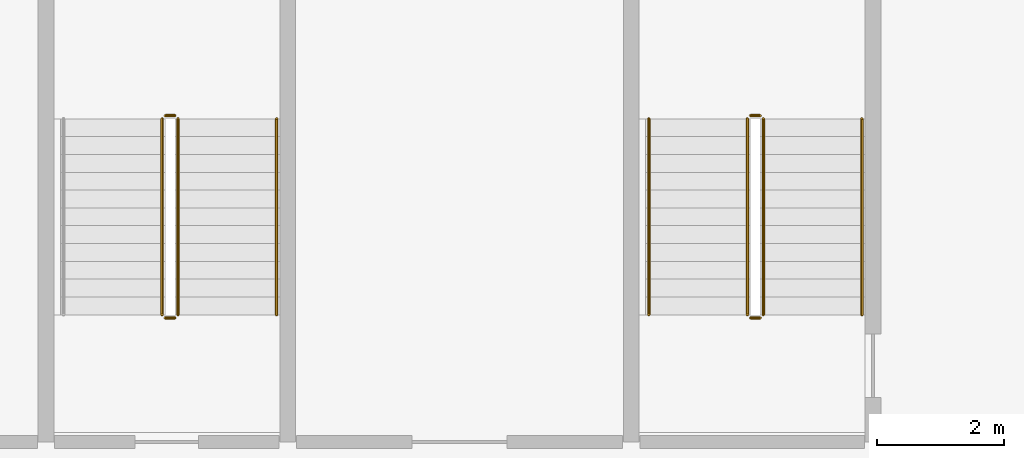
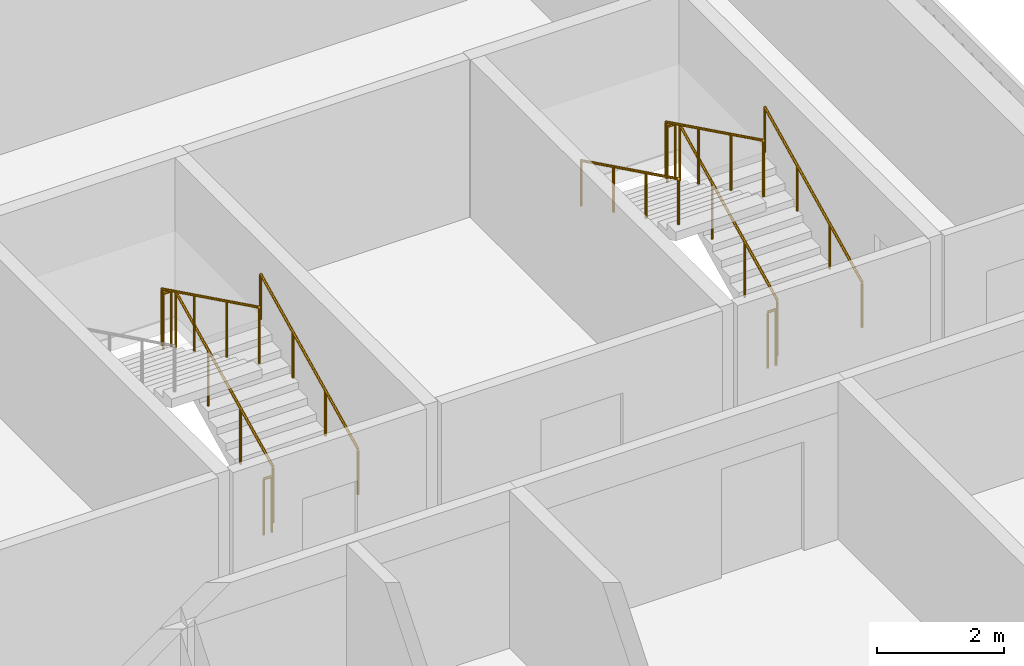
# One storey, part 11 of 18: 11 railings.
"""IFC4 building model written with IfcOpenShell, lengths in metres."""

from ifc_helpers import new_model, si_unit, direction, frame, origin, origin_2d, place, context, subcontext, project, spatial, circle, extrude, material, type_object, element, save


model = new_model("IFC4")

# Units and contexts
model_context = context("Model", 3, precision=1e-05, world=origin(), true_north=direction((0.0, 1.0)))
body_context = subcontext(model_context, "Body", "Model", "MODEL_VIEW")
ifc_project = project(units=[si_unit("LENGTHUNIT", "METRE"), si_unit("AREAUNIT", "SQUARE_METRE"), si_unit("VOLUMEUNIT", "CUBIC_METRE"), si_unit("PLANEANGLEUNIT", "RADIAN"), si_unit("MASSUNIT", "GRAM", prefix="KILO")], contexts=[model_context])

# Site, building, storey
site_placement = place(None, origin())
site = spatial("IfcSite", under=ifc_project, at=site_placement, CompositionType="ELEMENT")
building_placement = place(site_placement, origin())
building = spatial("IfcBuilding", under=site, at=building_placement, Name="Poui Terraces", CompositionType="ELEMENT")
storey_placement = place(building_placement, frame((0.0, 0.0, 275.699951171875)))
storey = spatial("IfcBuildingStorey", under=building, at=storey_placement, Name="L76 CROWN", CompositionType="ELEMENT", Elevation=275.699951171875)

# Railings
ifc_material_1 = material(Name="Galvanised steel balustrade", Category="steel")
railing_type_1 = type_object("IfcRailingType", Name="STAIR GUARD 1100", PredefinedType="GUARDRAIL", material=ifc_material_1)
railing_1_placement = place(storey_placement, frame((70.27490234375, 16.60009765625, 0.137451171875)))
element("IfcRailing", 1, at=railing_1_placement, inside=storey, type_object=railing_type_1, Name="L76 CROWN ST-CE stair guard 1", PredefinedType="GUARDRAIL", context=body_context, shape_type="SweptSolid", body=[
    extrude(circle(Radius=0.02392578125, at=origin_2d()), frame((0.0, 0.0, 1.076171875), z_axis=(0.0, 0.897578036475, 0.440855609512), x_axis=(-1.0, 0.0, 0.0)), (0.0, 0.0, 1.0), 3.43115234375),
    extrude(circle(Radius=0.02099609375, at=origin_2d()), origin(), (0.0, 0.0, 1.0), 1.052001953125),
    extrude(circle(Radius=0.02099609375, at=origin_2d()), frame((0.0, 1.026611328125, 0.504150390625)), (0.0, 0.0, 1.0), 1.052001953125),
    extrude(circle(Radius=0.02099609375, at=origin_2d()), frame((0.0, 2.05322265625, 1.008544921875)), (0.0, 0.0, 1.0), 1.052001953125),
    extrude(circle(Radius=0.02099609375, at=origin_2d()), frame((0.0, 3.079833984375, 1.5126953125)), (0.0, 0.0, 1.0), 1.052001953125),
])
railing_2_placement = place(storey_placement, frame((70.22509765625, 19.72998046875, 1.650146484375)))
element("IfcRailing", 2, at=railing_2_placement, inside=storey, type_object=railing_type_1, Name="L76 CROWN ST-CE stair guard 2", PredefinedType="GUARDRAIL", context=body_context, shape_type="SweptSolid", body=[
    extrude(circle(Radius=0.02392578125, at=origin_2d()), frame((0.0, 0.0, 1.076171875), z_axis=(-1.0, 0.0, 0.0), x_axis=(0.0, -1.0, 0.0)), (0.0, 0.0, 1.0), 0.150146484375),
    extrude(circle(Radius=0.02099609375, at=origin_2d()), origin(), (0.0, 0.0, 1.0), 1.052001953125),
    extrude(circle(Radius=0.02099609375, at=origin_2d()), frame((-0.150146484375, 0.0, 0.0)), (0.0, 0.0, 1.0), 1.052001953125),
])
railing_3_placement = place(storey_placement, frame((70.02490234375, 19.679931640625, 1.78759765625)))
element("IfcRailing", 3, at=railing_3_placement, inside=storey, type_object=railing_type_1, Name="L76 CROWN ST-CE stair guard 3", PredefinedType="GUARDRAIL", context=body_context, shape_type="SweptSolid", body=[
    extrude(circle(Radius=0.02392578125, at=origin_2d()), frame((0.0, 0.0, 1.076171875), z_axis=(0.0, -0.897606190399, 0.440798283751), x_axis=(1.0, 0.0, 0.0)), (0.0, 0.0, 1.0), 3.43115234375),
    extrude(circle(Radius=0.02099609375, at=origin_2d()), origin(), (0.0, 0.0, 1.0), 1.052001953125),
    extrude(circle(Radius=0.02099609375, at=origin_2d()), frame((0.0, -1.026611328125, 0.504150390625)), (0.0, 0.0, 1.0), 1.052001953125),
    extrude(circle(Radius=0.02099609375, at=origin_2d()), frame((0.0, -2.05322265625, 1.00830078125)), (0.0, 0.0, 1.0), 1.052001953125),
    extrude(circle(Radius=0.02099609375, at=origin_2d()), frame((0.0, -3.079833984375, 1.512451171875)), (0.0, 0.0, 1.0), 1.052001953125),
])
railing_4_placement = place(storey_placement, frame((70.22509765625, 16.550048828125, 0.0)))
element("IfcRailing", 4, at=railing_4_placement, inside=storey, type_object=railing_type_1, Name="L76 CROWN ST-CE stair guard 4", PredefinedType="GUARDRAIL", context=body_context, shape_type="SweptSolid", body=[
    extrude(circle(Radius=0.02392578125, at=origin_2d()), frame((0.0, 0.0, 1.076171875), z_axis=(-1.0, 0.0, 0.0), x_axis=(0.0, -1.0, 0.0)), (0.0, 0.0, 1.0), 0.150146484375),
    extrude(circle(Radius=0.02099609375, at=origin_2d()), origin(), (0.0, 0.0, 1.0), 1.052001953125),
    extrude(circle(Radius=0.02099609375, at=origin_2d()), frame((-0.150146484375, 0.0, 0.0)), (0.0, 0.0, 1.0), 1.052001953125),
])
railing_5_placement = place(storey_placement, frame((79.47509765625, 16.60009765625, 0.137451171875)))
element("IfcRailing", 5, at=railing_5_placement, inside=storey, type_object=railing_type_1, Name="L76 CROWN ST-E stair guard 1", PredefinedType="GUARDRAIL", context=body_context, shape_type="SweptSolid", body=[
    extrude(circle(Radius=0.02392578125, at=origin_2d()), frame((0.0, 0.0, 1.076171875), z_axis=(0.0, 0.897578036475, 0.440855609512), x_axis=(-1.0, 0.0, 0.0)), (0.0, 0.0, 1.0), 3.43115234375),
    extrude(circle(Radius=0.02099609375, at=origin_2d()), origin(), (0.0, 0.0, 1.0), 1.052001953125),
    extrude(circle(Radius=0.02099609375, at=origin_2d()), frame((0.0, 1.026611328125, 0.504150390625)), (0.0, 0.0, 1.0), 1.052001953125),
    extrude(circle(Radius=0.02099609375, at=origin_2d()), frame((0.0, 2.05322265625, 1.008544921875)), (0.0, 0.0, 1.0), 1.052001953125),
    extrude(circle(Radius=0.02099609375, at=origin_2d()), frame((0.0, 3.079833984375, 1.5126953125)), (0.0, 0.0, 1.0), 1.052001953125),
])
railing_6_placement = place(storey_placement, frame((79.425048828125, 19.72998046875, 1.650146484375)))
element("IfcRailing", 6, at=railing_6_placement, inside=storey, type_object=railing_type_1, Name="L76 CROWN ST-E stair guard 2", PredefinedType="GUARDRAIL", context=body_context, shape_type="SweptSolid", body=[
    extrude(circle(Radius=0.02392578125, at=origin_2d()), frame((0.0, 0.0, 1.076171875), z_axis=(-1.0, 0.0, 0.0), x_axis=(0.0, -1.0, 0.0)), (0.0, 0.0, 1.0), 0.150146484375),
    extrude(circle(Radius=0.02099609375, at=origin_2d()), origin(), (0.0, 0.0, 1.0), 1.052001953125),
    extrude(circle(Radius=0.02099609375, at=origin_2d()), frame((-0.150146484375, 0.0, 0.0)), (0.0, 0.0, 1.0), 1.052001953125),
])
railing_7_placement = place(storey_placement, frame((79.22509765625, 19.679931640625, 1.78759765625)))
element("IfcRailing", 7, at=railing_7_placement, inside=storey, type_object=railing_type_1, Name="L76 CROWN ST-E stair guard 3", PredefinedType="GUARDRAIL", context=body_context, shape_type="SweptSolid", body=[
    extrude(circle(Radius=0.02392578125, at=origin_2d()), frame((0.0, 0.0, 1.076171875), z_axis=(0.0, -0.897606190399, 0.440798283751), x_axis=(1.0, 0.0, 0.0)), (0.0, 0.0, 1.0), 3.43115234375),
    extrude(circle(Radius=0.02099609375, at=origin_2d()), origin(), (0.0, 0.0, 1.0), 1.052001953125),
    extrude(circle(Radius=0.02099609375, at=origin_2d()), frame((0.0, -1.026611328125, 0.504150390625)), (0.0, 0.0, 1.0), 1.052001953125),
    extrude(circle(Radius=0.02099609375, at=origin_2d()), frame((0.0, -2.05322265625, 1.00830078125)), (0.0, 0.0, 1.0), 1.052001953125),
    extrude(circle(Radius=0.02099609375, at=origin_2d()), frame((0.0, -3.079833984375, 1.512451171875)), (0.0, 0.0, 1.0), 1.052001953125),
])
railing_8_placement = place(storey_placement, frame((79.425048828125, 16.550048828125, 0.0)))
element("IfcRailing", 8, at=railing_8_placement, inside=storey, type_object=railing_type_1, Name="L76 CROWN ST-E stair guard 4", PredefinedType="GUARDRAIL", context=body_context, shape_type="SweptSolid", body=[
    extrude(circle(Radius=0.02392578125, at=origin_2d()), frame((0.0, 0.0, 1.076171875), z_axis=(-1.0, 0.0, 0.0), x_axis=(0.0, -1.0, 0.0)), (0.0, 0.0, 1.0), 0.150146484375),
    extrude(circle(Radius=0.02099609375, at=origin_2d()), origin(), (0.0, 0.0, 1.0), 1.052001953125),
    extrude(circle(Radius=0.02099609375, at=origin_2d()), frame((-0.150146484375, 0.0, 0.0)), (0.0, 0.0, 1.0), 1.052001953125),
])
ifc_material_2 = material(Name="Stainless steel handrail", Category="steel")
railing_type_2 = type_object("IfcRailingType", Name="STAIR HANDRAIL 900", PredefinedType="HANDRAIL", material=ifc_material_2)
for number, where, name in (
    (9, (71.824951171875, 16.60009765625, 0.137451171875), "L76 CROWN ST-CE stair handrail 1"),
    (10, (81.02490234375, 16.60009765625, 0.137451171875), "L76 CROWN ST-E stair handrail 1"),
):
    element("IfcRailing", number, at=place(storey_placement, frame(where)), inside=storey, type_object=railing_type_2, Name=name, PredefinedType="HANDRAIL", context=body_context, shape_type="SweptSolid", body=[
        extrude(circle(Radius=0.02392578125, at=origin_2d()), frame((0.0, 0.0, 0.8759765625), z_axis=(0.0, 0.897578036475, 0.440855609512), x_axis=(-1.0, 0.0, 0.0)), (0.0, 0.0, 1.0), 3.43115234375),
        extrude(circle(Radius=0.02099609375, at=origin_2d()), origin(), (0.0, 0.0, 1.0), 0.851806640625),
        extrude(circle(Radius=0.02099609375, at=origin_2d()), frame((0.0, 1.026611328125, 0.504150390625)), (0.0, 0.0, 1.0), 0.851806640625),
        extrude(circle(Radius=0.02099609375, at=origin_2d()), frame((0.0, 2.05322265625, 1.008544921875)), (0.0, 0.0, 1.0), 0.851806640625),
        extrude(circle(Radius=0.02099609375, at=origin_2d()), frame((0.0, 3.079833984375, 1.5126953125)), (0.0, 0.0, 1.0), 0.851806640625),
    ])
railing_9_placement = place(storey_placement, frame((77.675048828125, 19.679931640625, 1.78759765625)))
element("IfcRailing", 11, at=railing_9_placement, inside=storey, type_object=railing_type_2, Name="L76 CROWN ST-E stair handrail 2", PredefinedType="HANDRAIL", context=body_context, shape_type="SweptSolid", body=[
    extrude(circle(Radius=0.02392578125, at=origin_2d()), frame((0.0, 0.0, 0.8759765625), z_axis=(0.0, -0.897606190399, 0.440798283751), x_axis=(1.0, 0.0, 0.0)), (0.0, 0.0, 1.0), 3.43115234375),
    extrude(circle(Radius=0.02099609375, at=origin_2d()), origin(), (0.0, 0.0, 1.0), 0.851806640625),
    extrude(circle(Radius=0.02099609375, at=origin_2d()), frame((0.0, -1.026611328125, 0.504150390625)), (0.0, 0.0, 1.0), 0.851806640625),
    extrude(circle(Radius=0.02099609375, at=origin_2d()), frame((0.0, -2.05322265625, 1.00830078125)), (0.0, 0.0, 1.0), 0.851806640625),
    extrude(circle(Radius=0.02099609375, at=origin_2d()), frame((0.0, -3.079833984375, 1.512451171875)), (0.0, 0.0, 1.0), 0.851806640625),
])

save(model, "model.ifc")
